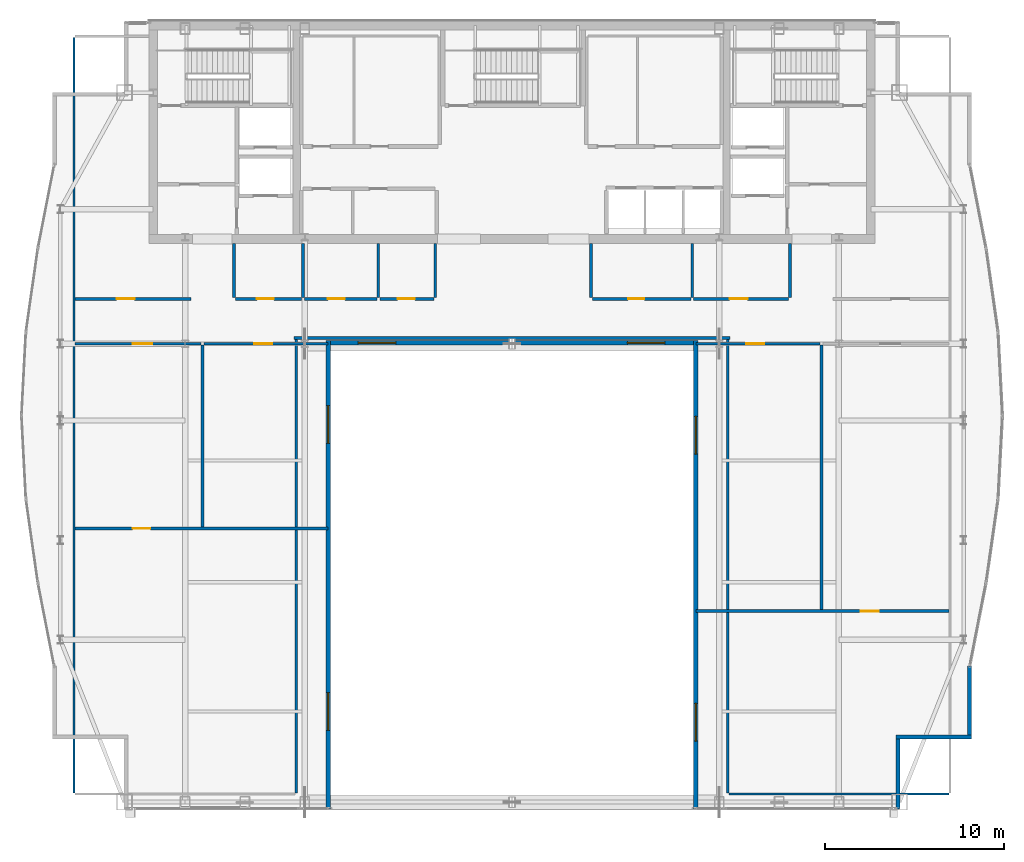
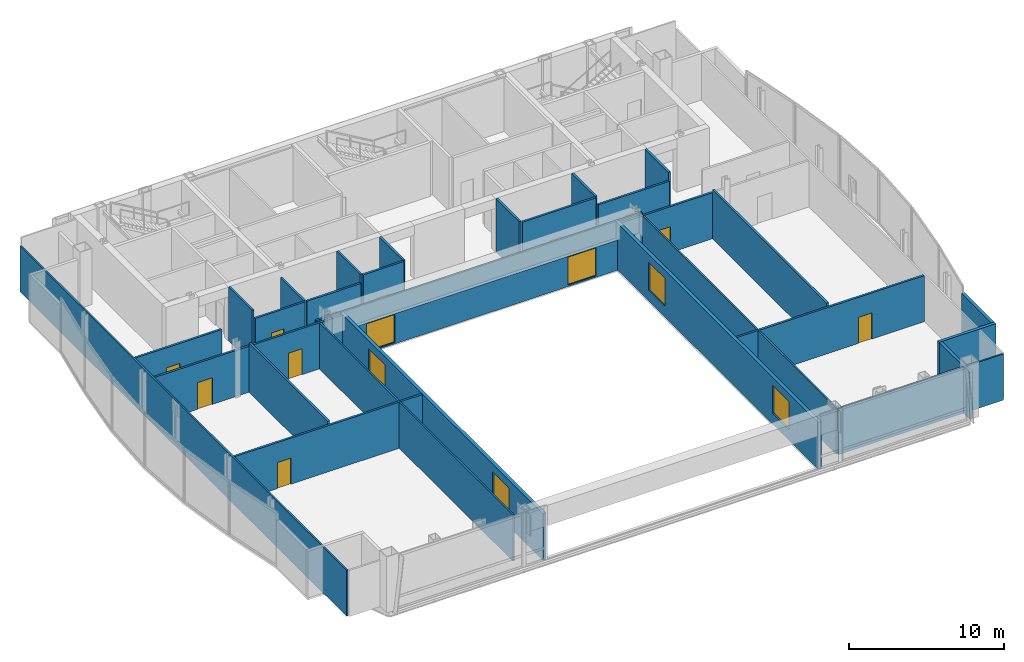
# One storey, part 22 of 27: 31 walls, 11 doors, 6 windows, 17 openings.
"""IFC4 building model written with IfcOpenShell, lengths in metres."""

from ifc_helpers import new_model, si_unit, direction, frame, frame_2d, origin, place, context, subcontext, project, spatial, rectangle, extrude, material, layer, layer_set, type_object, element, fill, save


model = new_model("IFC4")

# Units and contexts
model_context = context("Model", 3, precision=1e-05, world=origin(), true_north=direction((0.0, 1.0)))
body_context = subcontext(model_context, "Body", "Model", "MODEL_VIEW")
ifc_project = project(units=[si_unit("LENGTHUNIT", "METRE"), si_unit("AREAUNIT", "SQUARE_METRE"), si_unit("VOLUMEUNIT", "CUBIC_METRE"), si_unit("PLANEANGLEUNIT", "RADIAN"), si_unit("MASSUNIT", "GRAM", prefix="KILO")], contexts=[model_context])

# Site, building, storey
site_placement = place(None, origin())
site = spatial("IfcSite", under=ifc_project, at=site_placement, CompositionType="ELEMENT")
building_placement = place(site_placement, origin())
building = spatial("IfcBuilding", under=site, at=building_placement, Name="Khoronbel Lancet Exchange", CompositionType="ELEMENT")
storey_placement = place(building_placement, frame((0.0, 0.0, 310.199951171875)))
storey = spatial("IfcBuildingStorey", under=building, at=storey_placement, Name="L80", CompositionType="ELEMENT", Elevation=310.199951171875)

# Walls
ifc_material_1 = material(Name="Precast concrete C40/50", Category="concrete")
ifc_layer_1 = layer(ifc_material_1, 0.25, Name="Precast concrete C40/50")
ifc_layer_set_1 = layer_set([ifc_layer_1], Name="Precast concrete C40/50")
wall_type_1 = type_object("IfcWallType", Name="WL-EXT250", PredefinedType="SOLIDWALL", material=ifc_layer_set_1)
wall_1_placement = place(storey_placement, frame((61.9599609375, 17.728759765625, 0.0), z_axis=(0.0, 0.0, 1.0), x_axis=(0.0, -1.0, 0.0)))
element("IfcWall", 1, at=wall_1_placement, inside=storey, type_object=wall_type_1, Name="Level L80 notched-corner limestone pier 23", PredefinedType="SOLIDWALL", context=body_context, shape_type="SweptSolid", body=[
    extrude(rectangle(XDim=3.828857421875, YDim=0.219970703125, at=frame_2d((1.91455078125, 0.0))), origin(), (0.0, 0.0, 1.0), 3.679931640625),
])
wall_2_placement = place(storey_placement, frame((62.070068359375, 13.7900390625, 0.0), z_axis=(0.0, 0.0, 1.0), x_axis=(-1.0, 0.0, 0.0)))
element("IfcWall", 2, at=wall_2_placement, inside=storey, type_object=wall_type_1, Name="Level L80 notched-corner limestone pier 24", PredefinedType="SOLIDWALL", context=body_context, shape_type="SweptSolid", body=[
    extrude(rectangle(XDim=4.219970703125, YDim=0.219970703125, at=frame_2d((2.10986328125, 0.0))), origin(), (0.0, 0.0, 1.0), 3.679931640625),
])
wall_3_placement = place(storey_placement, frame((57.9599609375, 13.679931640625, 0.0), z_axis=(0.0, 0.0, 1.0), x_axis=(0.0, -1.0, 0.0)))
element("IfcWall", 3, at=wall_3_placement, inside=storey, type_object=wall_type_1, Name="Level L80 notched-corner limestone pier 25", PredefinedType="SOLIDWALL", context=body_context, shape_type="SweptSolid", body=[
    extrude(rectangle(XDim=3.909912109375, YDim=0.219970703125, at=frame_2d((1.955078125, 0.0))), origin(), (0.0, 0.0, 1.0), 3.679931640625),
])

# Wall, openings, windows
wall_4_placement = place(storey_placement, frame((26.199951171875, 35.875, 0.0), z_axis=(0.0, 0.0, 1.0), x_axis=(0.0, -1.0, 0.0)))
wall_4 = element("IfcWall", 4, at=wall_4_placement, inside=storey, type_object=wall_type_1, Name="Level L80 wind-portal west flank wall", PredefinedType="SOLIDWALL", context=body_context, shape_type="SweptSolid", body=[
    extrude(rectangle(XDim=26.10498046875, YDim=0.25, at=frame_2d((13.052490234375, 0.0))), origin(), (0.0, 0.0, 1.0), 3.679931640625),
])
opening_1_placement = place(wall_4_placement, frame((3.625, 0.0, 0.85009765625)))
opening_1 = element("IfcOpeningElement", 5, at=opening_1_placement, cuts=wall_4, Name="Opening W5", PredefinedType="OPENING", context=body_context, shape_type="SweptSolid", body=[
    extrude(rectangle(XDim=2.10009765625, YDim=2.199951171875, at=frame_2d((1.050048828125, 1.10009765625))), frame((0.0, 0.135009765625, 0.0), z_axis=(0.0, -1.0, 0.0), x_axis=(1.0, 0.0, 0.0)), (0.0, 0.0, 1.0), 0.27001953125),
])
opening_2_placement = place(wall_4_placement, frame((19.625, 0.0, 0.85009765625)))
opening_2 = element("IfcOpeningElement", 6, at=opening_2_placement, cuts=wall_4, Name="Opening W5", PredefinedType="OPENING", context=body_context, shape_type="SweptSolid", body=[
    extrude(rectangle(XDim=2.10009765625, YDim=2.199951171875, at=frame_2d((1.050048828125, 1.10009765625))), frame((0.0, 0.135009765625, 0.0), z_axis=(0.0, -1.0, 0.0), x_axis=(1.0, 0.0, 0.0)), (0.0, 0.0, 1.0), 0.27001953125),
])
ifc_material_2 = material(Name="Low-E Solar Control Insulating Glass", Category="glass")
window_type = type_object("IfcWindowType", Name="WIN-W5", PartitioningType="SINGLE_PANEL", PredefinedType="WINDOW", material=ifc_material_2)
window_1_placement = place(opening_1_placement, origin())
window_1 = element("IfcWindow", 7, at=window_1_placement, inside=storey, type_object=window_type, Name="WIN-L80-PORTAL-W1", OverallHeight=2.199951171875, OverallWidth=2.10009765625, PartitioningType="SINGLE_PANEL", PredefinedType="WINDOW", context=body_context, shape_type="SweptSolid", body=[
    extrude(rectangle(XDim=2.10009765625, YDim=2.199951171875, at=frame_2d((1.050048828125, 1.10009765625))), frame((0.0, 0.030029296875, 0.0), z_axis=(0.0, -1.0, 0.0), x_axis=(1.0, 0.0, 0.0)), (0.0, 0.0, 1.0), 0.06005859375),
])
fill(opening_1, window_1)
window_2_placement = place(opening_2_placement, origin())
window_2 = element("IfcWindow", 8, at=window_2_placement, inside=storey, type_object=window_type, Name="WIN-L80-PORTAL-W2", OverallHeight=2.199951171875, OverallWidth=2.10009765625, PartitioningType="SINGLE_PANEL", PredefinedType="WINDOW", context=body_context, shape_type="SweptSolid", body=[
    extrude(rectangle(XDim=2.10009765625, YDim=2.199951171875, at=frame_2d((1.050048828125, 1.10009765625))), frame((0.0, 0.030029296875, 0.0), z_axis=(0.0, -1.0, 0.0), x_axis=(1.0, 0.0, 0.0)), (0.0, 0.0, 1.0), 0.06005859375),
])
fill(opening_2, window_2)

wall_5_placement = place(storey_placement, frame((46.699951171875, 9.77001953125, 0.0), z_axis=(0.0, 0.0, 1.0), x_axis=(0.0, 1.0, 0.0)))
wall_5 = element("IfcWall", 9, at=wall_5_placement, inside=storey, type_object=wall_type_1, Name="Level L80 wind-portal east flank wall", PredefinedType="SOLIDWALL", context=body_context, shape_type="SweptSolid", body=[
    extrude(rectangle(XDim=26.10498046875, YDim=0.25, at=frame_2d((13.052490234375, 0.0))), origin(), (0.0, 0.0, 1.0), 3.679931640625),
])
opening_3_placement = place(wall_5_placement, frame((3.780029296875, 0.0, 0.85009765625)))
opening_3 = element("IfcOpeningElement", 10, at=opening_3_placement, cuts=wall_5, Name="Opening W5", PredefinedType="OPENING", context=body_context, shape_type="SweptSolid", body=[
    extrude(rectangle(XDim=2.10009765625, YDim=2.199951171875, at=frame_2d((1.050048828125, 1.10009765625))), frame((0.0, 0.135009765625, 0.0), z_axis=(0.0, -1.0, 0.0), x_axis=(1.0, 0.0, 0.0)), (0.0, 0.0, 1.0), 0.27001953125),
])
opening_4_placement = place(wall_5_placement, frame((19.780029296875, 0.0, 0.85009765625)))
opening_4 = element("IfcOpeningElement", 11, at=opening_4_placement, cuts=wall_5, Name="Opening W5", PredefinedType="OPENING", context=body_context, shape_type="SweptSolid", body=[
    extrude(rectangle(XDim=2.10009765625, YDim=2.199951171875, at=frame_2d((1.050048828125, 1.10009765625))), frame((0.0, 0.135009765625, 0.0), z_axis=(0.0, -1.0, 0.0), x_axis=(1.0, 0.0, 0.0)), (0.0, 0.0, 1.0), 0.27001953125),
])
window_3_placement = place(opening_3_placement, origin())
window_3 = element("IfcWindow", 12, at=window_3_placement, inside=storey, type_object=window_type, Name="WIN-L80-PORTAL-E1", OverallHeight=2.199951171875, OverallWidth=2.10009765625, PartitioningType="SINGLE_PANEL", PredefinedType="WINDOW", context=body_context, shape_type="SweptSolid", body=[
    extrude(rectangle(XDim=2.10009765625, YDim=2.199951171875, at=frame_2d((1.050048828125, 1.10009765625))), frame((0.0, 0.030029296875, 0.0), z_axis=(0.0, -1.0, 0.0), x_axis=(1.0, 0.0, 0.0)), (0.0, 0.0, 1.0), 0.06005859375),
])
fill(opening_3, window_3)
window_4_placement = place(opening_4_placement, origin())
window_4 = element("IfcWindow", 13, at=window_4_placement, inside=storey, type_object=window_type, Name="WIN-L80-PORTAL-E2", OverallHeight=2.199951171875, OverallWidth=2.10009765625, PartitioningType="SINGLE_PANEL", PredefinedType="WINDOW", context=body_context, shape_type="SweptSolid", body=[
    extrude(rectangle(XDim=2.10009765625, YDim=2.199951171875, at=frame_2d((1.050048828125, 1.10009765625))), frame((0.0, 0.030029296875, 0.0), z_axis=(0.0, -1.0, 0.0), x_axis=(1.0, 0.0, 0.0)), (0.0, 0.0, 1.0), 0.06005859375),
])
fill(opening_4, window_4)

wall_6_placement = place(storey_placement, frame((26.324951171875, 35.75, 0.0), z_axis=(0.0, 0.0, 1.0), x_axis=(1.0, 0.0, 0.0)))
wall_6 = element("IfcWall", 14, at=wall_6_placement, inside=storey, type_object=wall_type_1, Name="Level L80 wind-portal north spine wall", PredefinedType="SOLIDWALL", context=body_context, shape_type="SweptSolid", body=[
    extrude(rectangle(XDim=20.25, YDim=0.25, at=frame_2d((10.125, 0.0))), origin(), (0.0, 0.0, 1.0), 2.380126953125),
])
opening_5_placement = place(wall_6_placement, frame((1.550048828125, 0.0, 0.1201171875)))
opening_5 = element("IfcOpeningElement", 15, at=opening_5_placement, cuts=wall_6, Name="Opening W5", PredefinedType="OPENING", context=body_context, shape_type="SweptSolid", body=[
    extrude(rectangle(XDim=2.10009765625, YDim=2.199951171875, at=frame_2d((1.050048828125, 1.10009765625))), frame((0.0, 0.135009765625, 0.0), z_axis=(0.0, -1.0, 0.0), x_axis=(1.0, 0.0, 0.0)), (0.0, 0.0, 1.0), 0.27001953125),
])
opening_6_placement = place(wall_6_placement, frame((16.550048828125, 0.0, 0.1201171875)))
opening_6 = element("IfcOpeningElement", 16, at=opening_6_placement, cuts=wall_6, Name="Opening W5", PredefinedType="OPENING", context=body_context, shape_type="SweptSolid", body=[
    extrude(rectangle(XDim=2.10009765625, YDim=2.199951171875, at=frame_2d((1.050048828125, 1.10009765625))), frame((0.0, 0.135009765625, 0.0), z_axis=(0.0, -1.0, 0.0), x_axis=(1.0, 0.0, 0.0)), (0.0, 0.0, 1.0), 0.27001953125),
])
window_5_placement = place(opening_5_placement, origin())
window_5 = element("IfcWindow", 17, at=window_5_placement, inside=storey, type_object=window_type, Name="WIN-L80-PORTAL-N1", OverallHeight=2.199951171875, OverallWidth=2.10009765625, PartitioningType="SINGLE_PANEL", PredefinedType="WINDOW", context=body_context, shape_type="SweptSolid", body=[
    extrude(rectangle(XDim=2.10009765625, YDim=2.199951171875, at=frame_2d((1.050048828125, 1.10009765625))), frame((0.0, 0.030029296875, 0.0), z_axis=(0.0, -1.0, 0.0), x_axis=(1.0, 0.0, 0.0)), (0.0, 0.0, 1.0), 0.06005859375),
])
fill(opening_5, window_5)
window_6_placement = place(opening_6_placement, origin())
window_6 = element("IfcWindow", 18, at=window_6_placement, inside=storey, type_object=window_type, Name="WIN-L80-PORTAL-N2", OverallHeight=2.199951171875, OverallWidth=2.10009765625, PartitioningType="SINGLE_PANEL", PredefinedType="WINDOW", context=body_context, shape_type="SweptSolid", body=[
    extrude(rectangle(XDim=2.10009765625, YDim=2.199951171875, at=frame_2d((1.050048828125, 1.10009765625))), frame((0.0, 0.030029296875, 0.0), z_axis=(0.0, -1.0, 0.0), x_axis=(1.0, 0.0, 0.0)), (0.0, 0.0, 1.0), 0.06005859375),
])
fill(opening_6, window_6)

# Wall
ifc_material_3 = material(Name="Acoustic Metal-Stud & Mineral-Wool Gypsum Partition 120 mm", Category="gypsum")
ifc_layer_2 = layer(ifc_material_3, 0.1201171875, Name="Acoustic Metal-Stud & Mineral-Wool Gypsum Partition 120 mm")
ifc_layer_set_2 = layer_set([ifc_layer_2], Name="Acoustic Metal-Stud & Mineral-Wool Gypsum Partition 120 mm")
wall_type_2 = type_object("IfcWallType", Name="WL-PRT120", PredefinedType="PARTITIONING", material=ifc_layer_set_2)
wall_7_placement = place(storey_placement, frame((19.199951171875, 25.47998046875, 0.0), z_axis=(0.0, 0.0, 1.0), x_axis=(0.0, 1.0, 0.0)))
element("IfcWall", 19, at=wall_7_placement, inside=storey, type_object=wall_type_2, Name="Level L80 interior partition PW-WP-WV", PredefinedType="PARTITIONING", context=body_context, shape_type="SweptSolid", body=[
    extrude(rectangle(XDim=10.14013671875, YDim=0.14990234375, at=frame_2d((5.070068359375, 0.0))), origin(), (0.0, 0.0, 1.0), 3.8701171875),
])

# Wall, opening, door
wall_8_placement = place(storey_placement, frame((12.094970703125, 25.39990234375, 0.0), z_axis=(0.0, 0.0, 1.0), x_axis=(1.0, 0.0, 0.0)))
wall_8 = element("IfcWall", 20, at=wall_8_placement, inside=storey, type_object=wall_type_2, Name="Level L80 interior partition PW-WP-WH", PredefinedType="PARTITIONING", context=body_context, shape_type="SweptSolid", body=[
    extrude(rectangle(XDim=14.10498046875, YDim=0.14990234375, at=frame_2d((7.052490234375, 0.0))), origin(), (0.0, 0.0, 1.0), 3.630126953125),
])
opening_7_placement = place(wall_8_placement, frame((3.199951171875, 0.0, 0.0)))
opening_7 = element("IfcOpeningElement", 21, at=opening_7_placement, cuts=wall_8, Name="Opening D8", PredefinedType="OPENING", context=body_context, shape_type="SweptSolid", body=[
    extrude(rectangle(XDim=1.0, YDim=2.050048828125, at=frame_2d((0.5, 1.02490234375))), frame((0.0, 0.0849609375, 0.0), z_axis=(0.0, -1.0, 0.0), x_axis=(1.0, 0.0, 0.0)), (0.0, 0.0, 1.0), 0.169921875),
])
ifc_material_4 = material(Name="Acoustic Bronze-Framed Glass Suite Door", Category="glass")
door_type_1 = type_object("IfcDoorType", Name="DR-D8", OperationType="NOTDEFINED", PredefinedType="DOOR", material=ifc_material_4)
door_1_placement = place(opening_7_placement, origin())
door_1 = element("IfcDoor", 22, at=door_1_placement, inside=storey, type_object=door_type_1, Name="Portal west south salon door L80-1", OperationType="SINGLE_SWING_RIGHT", OverallHeight=2.050048828125, OverallWidth=1.0, PredefinedType="DOOR", context=body_context, shape_type="SweptSolid", body=[
    extrude(rectangle(XDim=1.0, YDim=2.050048828125, at=frame_2d((0.5, 1.02490234375))), frame((0.0, 0.02490234375, 0.0), z_axis=(0.0, -1.0, 0.0), x_axis=(1.0, 0.0, 0.0)), (0.0, 0.0, 1.0), 0.050048828125),
])
fill(opening_7, door_1)

# Wall
wall_9_placement = place(storey_placement, frame((53.699951171875, 20.8798828125, 0.0), z_axis=(0.0, 0.0, 1.0), x_axis=(0.0, 1.0, 0.0)))
element("IfcWall", 23, at=wall_9_placement, inside=storey, type_object=wall_type_2, Name="Level L80 interior partition PW-WP-EV", PredefinedType="PARTITIONING", context=body_context, shape_type="SweptSolid", body=[
    extrude(rectangle(XDim=14.740234375, YDim=0.14990234375, at=frame_2d((7.3701171875, 0.0))), origin(), (0.0, 0.0, 1.0), 3.8701171875),
])

# Wall, opening, door
wall_10_placement = place(storey_placement, frame((46.699951171875, 20.800048828125, 0.0), z_axis=(0.0, 0.0, 1.0), x_axis=(1.0, 0.0, 0.0)))
wall_10 = element("IfcWall", 24, at=wall_10_placement, inside=storey, type_object=wall_type_2, Name="Level L80 interior partition PW-WP-EH", PredefinedType="PARTITIONING", context=body_context, shape_type="SweptSolid", body=[
    extrude(rectangle(XDim=14.10498046875, YDim=0.14990234375, at=frame_2d((7.052490234375, 0.0))), origin(), (0.0, 0.0, 1.0), 3.630126953125),
])
opening_8_placement = place(wall_10_placement, frame((9.199951171875, 0.0, 0.0)))
opening_8 = element("IfcOpeningElement", 25, at=opening_8_placement, cuts=wall_10, Name="Opening D8", PredefinedType="OPENING", context=body_context, shape_type="SweptSolid", body=[
    extrude(rectangle(XDim=1.0, YDim=2.050048828125, at=frame_2d((0.5, 1.02490234375))), frame((0.0, 0.0849609375, 0.0), z_axis=(0.0, -1.0, 0.0), x_axis=(1.0, 0.0, 0.0)), (0.0, 0.0, 1.0), 0.169921875),
])
door_2_placement = place(opening_8_placement, origin())
door_2 = element("IfcDoor", 26, at=door_2_placement, inside=storey, type_object=door_type_1, Name="Portal east south dining door L80-1", OperationType="SINGLE_SWING_LEFT", OverallHeight=2.050048828125, OverallWidth=1.0, PredefinedType="DOOR", context=body_context, shape_type="SweptSolid", body=[
    extrude(rectangle(XDim=1.0, YDim=2.050048828125, at=frame_2d((0.5, 1.02490234375))), frame((0.0, 0.02490234375, 0.0), z_axis=(0.0, -1.0, 0.0), x_axis=(1.0, 0.0, 0.0)), (0.0, 0.0, 1.0), 0.050048828125),
])
fill(opening_8, door_2)

# Walls
wall_11_placement = place(storey_placement, frame((20.949951171875, 38.280029296875, 0.0), z_axis=(0.0, 0.0, 1.0), x_axis=(0.0, 1.0, 0.0)))
element("IfcWall", 27, at=wall_11_placement, inside=storey, type_object=wall_type_2, Name="Level L80 interior partition PW-WP-WC0", PredefinedType="PARTITIONING", context=body_context, shape_type="SweptSolid", body=[
    extrude(rectangle(XDim=3.02001953125, YDim=0.14990234375, at=frame_2d((1.510009765625, 0.0))), origin(), (0.0, 0.0, 1.0), 4.239990234375),
])
wall_12_placement = place(storey_placement, frame((24.800048828125, 38.280029296875, 0.0), z_axis=(0.0, 0.0, 1.0), x_axis=(0.0, 1.0, 0.0)))
element("IfcWall", 28, at=wall_12_placement, inside=storey, type_object=wall_type_2, Name="Level L80 interior partition PW-WP-WC1", PredefinedType="PARTITIONING", context=body_context, shape_type="SweptSolid", body=[
    extrude(rectangle(XDim=3.02001953125, YDim=0.14990234375, at=frame_2d((1.510009765625, 0.0))), origin(), (0.0, 0.0, 1.0), 3.630126953125),
])
for number, where, z_axis, x_axis, name in (
    (29, (29.0, 38.280029296875, 0.0), (0.0, 0.0, 1.0), (0.0, 1.0, 0.0), "Level L80 interior partition PW-WP-WC2"),
    (30, (32.179931640625, 38.280029296875, 0.0), (0.0, 0.0, 1.0), (0.0, 1.0, 0.0), "Level L80 interior partition PW-WP-WC3"),
    (31, (40.85009765625, 38.280029296875, 0.0), (0.0, 0.0, 1.0), (0.0, 1.0, 0.0), "Level L80 interior partition PW-WP-NP0"),
    (32, (46.5, 38.280029296875, 0.0), (0.0, 0.0, 1.0), (0.0, 1.0, 0.0), "Level L80 interior partition PW-WP-NP"),
    (33, (51.949951171875, 38.280029296875, 0.0), (0.0, 0.0, 1.0), (0.0, 1.0, 0.0), "Level L80 interior partition PW-WP-NP1"),
):
    element("IfcWall", number, at=place(storey_placement, frame(where, z_axis=z_axis, x_axis=x_axis)), inside=storey, type_object=wall_type_2, Name=name, PredefinedType="PARTITIONING", context=body_context, shape_type="SweptSolid", body=[
        extrude(rectangle(XDim=3.02001953125, YDim=0.14990234375, at=frame_2d((1.510009765625, 0.0))), origin(), (0.0, 0.0, 1.0), 4.239990234375),
    ])
wall_13_placement = place(storey_placement, frame((12.030029296875, 10.6650390625, 0.0), z_axis=(0.0, 0.0, 1.0), x_axis=(0.0, 1.0, 0.0)))
element("IfcWall", 34, at=wall_13_placement, inside=storey, type_object=wall_type_2, Name="Level L80 interior partition PW-LIN-W", PredefinedType="PARTITIONING", context=body_context, shape_type="SweptSolid", body=[
    extrude(rectangle(XDim=42.10986328125, YDim=0.1201171875, at=frame_2d((21.054931640625, 0.0))), origin(), (0.0, 0.0, 1.0), 3.630126953125),
])
wall_14_placement = place(storey_placement, frame((48.544921875, 10.60009765625, 0.0), z_axis=(0.0, 0.0, 1.0), x_axis=(1.0, 0.0, 0.0)))
element("IfcWall", 35, at=wall_14_placement, inside=storey, type_object=wall_type_2, Name="Level L80 interior partition PW-LIN-SE", PredefinedType="PARTITIONING", context=body_context, shape_type="SweptSolid", body=[
    extrude(rectangle(XDim=12.260009765625, YDim=0.1201171875, at=frame_2d((6.1298828125, 0.0))), origin(), (0.0, 0.0, 1.0), 3.630126953125),
])
for number, where, z_axis, x_axis, name in (
    (36, (24.419921875, 10.6650390625, 0.0), (0.0, 0.0, 1.0), (0.0, 1.0, 0.0), "Level L80 interior partition PW-LIN-PW"),
    (37, (48.47998046875, 10.6650390625, 0.0), (0.0, 0.0, 1.0), (0.0, 1.0, 0.0), "Level L80 interior partition PW-LIN-PE"),
):
    element("IfcWall", number, at=place(storey_placement, frame(where, z_axis=z_axis, x_axis=x_axis)), inside=storey, type_object=wall_type_2, Name=name, PredefinedType="PARTITIONING", context=body_context, shape_type="SweptSolid", body=[
        extrude(rectangle(XDim=25.27490234375, YDim=0.1201171875, at=frame_2d((12.637451171875, 0.0))), origin(), (0.0, 0.0, 1.0), 3.630126953125),
    ])

# Wall, opening, door
ifc_material_5 = material(Name="Fire-Rated Twin-Stud Acoustic Gypsum Partition 150 mm", Category="gypsum")
ifc_layer_3 = layer(ifc_material_5, 0.14990234375, Name="Fire-Rated Twin-Stud Acoustic Gypsum Partition 150 mm")
ifc_layer_set_3 = layer_set([ifc_layer_3], Name="Fire-Rated Twin-Stud Acoustic Gypsum Partition 150 mm")
wall_type_3 = type_object("IfcWallType", Name="WL-PRT150C", PredefinedType="PARTITIONING", material=ifc_layer_set_3)
wall_15_placement = place(storey_placement, frame((12.094970703125, 35.699951171875, 0.0), z_axis=(0.0, 0.0, 1.0), x_axis=(1.0, 0.0, 0.0)))
wall_15 = element("IfcWall", 38, at=wall_15_placement, inside=storey, type_object=wall_type_3, Name="Level L80 interior partition PW-WP-WS1", PredefinedType="PARTITIONING", context=body_context, shape_type="SweptSolid", body=[
    extrude(rectangle(XDim=7.025146484375, YDim=0.14990234375, at=frame_2d((3.5126953125, 0.0))), origin(), (0.0, 0.0, 1.0), 3.630126953125),
])
opening_9_placement = place(wall_15_placement, frame((3.199951171875, 0.0, 0.0)))
opening_9 = element("IfcOpeningElement", 39, at=opening_9_placement, cuts=wall_15, Name="Opening D6", PredefinedType="OPENING", context=body_context, shape_type="SweptSolid", body=[
    extrude(rectangle(XDim=1.10009765625, YDim=2.10009765625, at=frame_2d((0.550048828125, 1.050048828125))), frame((0.0, 0.0849609375, 0.0), z_axis=(0.0, -1.0, 0.0), x_axis=(1.0, 0.0, 0.0)), (0.0, 0.0, 1.0), 0.169921875),
])
ifc_material_6 = material(Name="Acoustic Bronze-Veneer Executive Suite Door", Category="wood")
door_type_2 = type_object("IfcDoorType", Name="DR-D6", OperationType="NOTDEFINED", PredefinedType="DOOR", material=ifc_material_6)
door_3_placement = place(opening_9_placement, origin())
door_3 = element("IfcDoor", 40, at=door_3_placement, inside=storey, type_object=door_type_2, Name="Portal west executive suite door L80-1", OperationType="SINGLE_SWING_RIGHT", OverallHeight=2.10009765625, OverallWidth=1.10009765625, PredefinedType="DOOR", context=body_context, shape_type="SweptSolid", body=[
    extrude(rectangle(XDim=1.10009765625, YDim=2.10009765625, at=frame_2d((0.550048828125, 1.050048828125))), frame((0.0, 0.02490234375, 0.0), z_axis=(0.0, -1.0, 0.0), x_axis=(1.0, 0.0, 0.0)), (0.0, 0.0, 1.0), 0.050048828125),
])
fill(opening_9, door_3)

wall_16_placement = place(storey_placement, frame((19.280029296875, 35.699951171875, 0.0), z_axis=(0.0, 0.0, 1.0), x_axis=(1.0, 0.0, 0.0)))
wall_16 = element("IfcWall", 41, at=wall_16_placement, inside=storey, type_object=wall_type_3, Name="Level L80 interior partition PW-WP-WS2", PredefinedType="PARTITIONING", context=body_context, shape_type="SweptSolid", body=[
    extrude(rectangle(XDim=6.919921875, YDim=0.14990234375, at=frame_2d((3.4599609375, 0.0))), origin(), (0.0, 0.0, 1.0), 3.630126953125),
])
opening_10_placement = place(wall_16_placement, frame((2.800048828125, 0.0, 0.0)))
opening_10 = element("IfcOpeningElement", 42, at=opening_10_placement, cuts=wall_16, Name="Opening D2", PredefinedType="OPENING", context=body_context, shape_type="SweptSolid", body=[
    extrude(rectangle(XDim=1.0, YDim=2.050048828125, at=frame_2d((0.5, 1.02490234375))), frame((0.0, 0.0849609375, 0.0), z_axis=(0.0, -1.0, 0.0), x_axis=(1.0, 0.0, 0.0)), (0.0, 0.0, 1.0), 0.169921875),
])
ifc_material_7 = material(Name="Acoustic Veneered Timber & Bronze Frame Door", Category="wood")
door_type_3 = type_object("IfcDoorType", Name="DR-D2", OperationType="NOTDEFINED", PredefinedType="DOOR", material=ifc_material_7)
door_4_placement = place(opening_10_placement, origin())
door_4 = element("IfcDoor", 43, at=door_4_placement, inside=storey, type_object=door_type_3, Name="Portal west gallery door L80-1", OperationType="SINGLE_SWING_LEFT", OverallHeight=2.050048828125, OverallWidth=1.0, PredefinedType="DOOR", context=body_context, shape_type="SweptSolid", body=[
    extrude(rectangle(XDim=1.0, YDim=2.050048828125, at=frame_2d((0.5, 1.02490234375))), frame((0.0, 0.02490234375, 0.0), z_axis=(0.0, -1.0, 0.0), x_axis=(1.0, 0.0, 0.0)), (0.0, 0.0, 1.0), 0.050048828125),
])
fill(opening_10, door_4)

wall_17_placement = place(storey_placement, frame((46.699951171875, 35.699951171875, 0.0), z_axis=(0.0, 0.0, 1.0), x_axis=(1.0, 0.0, 0.0)))
wall_17 = element("IfcWall", 44, at=wall_17_placement, inside=storey, type_object=wall_type_3, Name="Level L80 interior partition PW-WP-ES1", PredefinedType="PARTITIONING", context=body_context, shape_type="SweptSolid", body=[
    extrude(rectangle(XDim=6.920166015625, YDim=0.14990234375, at=frame_2d((3.4599609375, 0.0))), origin(), (0.0, 0.0, 1.0), 3.630126953125),
])
opening_11_placement = place(wall_17_placement, frame((2.800048828125, 0.0, 0.0)))
opening_11 = element("IfcOpeningElement", 45, at=opening_11_placement, cuts=wall_17, Name="Opening D2", PredefinedType="OPENING", context=body_context, shape_type="SweptSolid", body=[
    extrude(rectangle(XDim=1.0, YDim=2.050048828125, at=frame_2d((0.5, 1.02490234375))), frame((0.0, 0.0849609375, 0.0), z_axis=(0.0, -1.0, 0.0), x_axis=(1.0, 0.0, 0.0)), (0.0, 0.0, 1.0), 0.169921875),
])
door_5_placement = place(opening_11_placement, origin())
door_5 = element("IfcDoor", 46, at=door_5_placement, inside=storey, type_object=door_type_3, Name="Portal east boardroom door L80-1", OperationType="SINGLE_SWING_LEFT", OverallHeight=2.050048828125, OverallWidth=1.0, PredefinedType="DOOR", context=body_context, shape_type="SweptSolid", body=[
    extrude(rectangle(XDim=1.0, YDim=2.050048828125, at=frame_2d((0.5, 1.02490234375))), frame((0.0, 0.02490234375, 0.0), z_axis=(0.0, -1.0, 0.0), x_axis=(1.0, 0.0, 0.0)), (0.0, 0.0, 1.0), 0.050048828125),
])
fill(opening_11, door_5)

wall_18_placement = place(storey_placement, frame((21.030029296875, 38.199951171875, 0.0), z_axis=(0.0, 0.0, 1.0), x_axis=(1.0, 0.0, 0.0)))
wall_18 = element("IfcWall", 47, at=wall_18_placement, inside=storey, type_object=wall_type_3, Name="Level L80 interior partition PW-WP-WCS1", PredefinedType="PARTITIONING", context=body_context, shape_type="SweptSolid", body=[
    extrude(rectangle(XDim=3.68994140625, YDim=0.14990234375, at=frame_2d((1.844970703125, 0.0))), origin(), (0.0, 0.0, 1.0), 3.630126953125),
])
opening_12_placement = place(wall_18_placement, frame((1.199951171875, 0.0, 0.0)))
opening_12 = element("IfcOpeningElement", 48, at=opening_12_placement, cuts=wall_18, Name="Opening D4", PredefinedType="OPENING", context=body_context, shape_type="SweptSolid", body=[
    extrude(rectangle(XDim=0.949951171875, YDim=2.050048828125, at=frame_2d((0.47509765625, 1.02490234375))), frame((0.0, 0.0849609375, 0.0), z_axis=(0.0, -1.0, 0.0), x_axis=(1.0, 0.0, 0.0)), (0.0, 0.0, 1.0), 0.169921875),
])
ifc_material_8 = material(Name="Moisture-Resistant HPL Washroom Door", Category="wood")
door_type_4 = type_object("IfcDoorType", Name="DR-D4", OperationType="NOTDEFINED", PredefinedType="DOOR", material=ifc_material_8)
door_6_placement = place(opening_12_placement, origin())
door_6 = element("IfcDoor", 49, at=door_6_placement, inside=storey, type_object=door_type_4, Name="Male WC door L80-1", OperationType="SINGLE_SWING_RIGHT", OverallHeight=2.050048828125, OverallWidth=0.949951171875, PredefinedType="DOOR", context=body_context, shape_type="SweptSolid", body=[
    extrude(rectangle(XDim=0.949951171875, YDim=2.050048828125, at=frame_2d((0.47509765625, 1.02490234375))), frame((0.0, 0.02490234375, 0.0), z_axis=(0.0, -1.0, 0.0), x_axis=(1.0, 0.0, 0.0)), (0.0, 0.0, 1.0), 0.050048828125),
])
fill(opening_12, door_6)

wall_19_placement = place(storey_placement, frame((24.8798828125, 38.199951171875, 0.0), z_axis=(0.0, 0.0, 1.0), x_axis=(1.0, 0.0, 0.0)))
wall_19 = element("IfcWall", 50, at=wall_19_placement, inside=storey, type_object=wall_type_3, Name="Level L80 interior partition PW-WP-WCS2", PredefinedType="PARTITIONING", context=body_context, shape_type="SweptSolid", body=[
    extrude(rectangle(XDim=4.0400390625, YDim=0.14990234375, at=frame_2d((2.02001953125, 0.0))), origin(), (0.0, 0.0, 1.0), 3.630126953125),
])
opening_13_placement = place(wall_19_placement, frame((1.300048828125, 0.0, 0.0)))
opening_13 = element("IfcOpeningElement", 51, at=opening_13_placement, cuts=wall_19, Name="Opening D4", PredefinedType="OPENING", context=body_context, shape_type="SweptSolid", body=[
    extrude(rectangle(XDim=0.949951171875, YDim=2.050048828125, at=frame_2d((0.47509765625, 1.02490234375))), frame((0.0, 0.0849609375, 0.0), z_axis=(0.0, -1.0, 0.0), x_axis=(1.0, 0.0, 0.0)), (0.0, 0.0, 1.0), 0.169921875),
])
door_7_placement = place(opening_13_placement, origin())
door_7 = element("IfcDoor", 52, at=door_7_placement, inside=storey, type_object=door_type_4, Name="Female WC door L80-1", OperationType="SINGLE_SWING_LEFT", OverallHeight=2.050048828125, OverallWidth=0.949951171875, PredefinedType="DOOR", context=body_context, shape_type="SweptSolid", body=[
    extrude(rectangle(XDim=0.949951171875, YDim=2.050048828125, at=frame_2d((0.47509765625, 1.02490234375))), frame((0.0, 0.02490234375, 0.0), z_axis=(0.0, -1.0, 0.0), x_axis=(1.0, 0.0, 0.0)), (0.0, 0.0, 1.0), 0.050048828125),
])
fill(opening_13, door_7)

wall_20_placement = place(storey_placement, frame((29.080078125, 38.199951171875, 0.0), z_axis=(0.0, 0.0, 1.0), x_axis=(1.0, 0.0, 0.0)))
wall_20 = element("IfcWall", 53, at=wall_20_placement, inside=storey, type_object=wall_type_3, Name="Level L80 interior partition PW-WP-WCS3", PredefinedType="PARTITIONING", context=body_context, shape_type="SweptSolid", body=[
    extrude(rectangle(XDim=3.02001953125, YDim=0.14990234375, at=frame_2d((1.510009765625, 0.0))), origin(), (0.0, 0.0, 1.0), 4.239990234375),
])
opening_14_placement = place(wall_20_placement, frame((1.0, 0.0, 0.0)))
opening_14 = element("IfcOpeningElement", 54, at=opening_14_placement, cuts=wall_20, Name="Opening D4", PredefinedType="OPENING", context=body_context, shape_type="SweptSolid", body=[
    extrude(rectangle(XDim=0.949951171875, YDim=2.050048828125, at=frame_2d((0.47509765625, 1.02490234375))), frame((0.0, 0.0849609375, 0.0), z_axis=(0.0, -1.0, 0.0), x_axis=(1.0, 0.0, 0.0)), (0.0, 0.0, 1.0), 0.169921875),
])
door_8_placement = place(opening_14_placement, origin())
door_8 = element("IfcDoor", 55, at=door_8_placement, inside=storey, type_object=door_type_4, Name="Accessible WC door L80-1", OperationType="SINGLE_SWING_RIGHT", OverallHeight=2.050048828125, OverallWidth=0.949951171875, PredefinedType="DOOR", context=body_context, shape_type="SweptSolid", body=[
    extrude(rectangle(XDim=0.949951171875, YDim=2.050048828125, at=frame_2d((0.47509765625, 1.02490234375))), frame((0.0, 0.02490234375, 0.0), z_axis=(0.0, -1.0, 0.0), x_axis=(1.0, 0.0, 0.0)), (0.0, 0.0, 1.0), 0.050048828125),
])
fill(opening_14, door_8)

wall_21_placement = place(storey_placement, frame((40.929931640625, 38.199951171875, 0.0), z_axis=(0.0, 0.0, 1.0), x_axis=(1.0, 0.0, 0.0)))
wall_21 = element("IfcWall", 56, at=wall_21_placement, inside=storey, type_object=wall_type_3, Name="Level L80 interior partition PW-WP-NPS1", PredefinedType="PARTITIONING", context=body_context, shape_type="SweptSolid", body=[
    extrude(rectangle(XDim=5.489990234375, YDim=0.14990234375, at=frame_2d((2.7451171875, 0.0))), origin(), (0.0, 0.0, 1.0), 4.239990234375),
])
opening_15_placement = place(wall_21_placement, frame((2.0, 0.0, 0.0)))
opening_15 = element("IfcOpeningElement", 57, at=opening_15_placement, cuts=wall_21, Name="Opening D5", PredefinedType="OPENING", context=body_context, shape_type="SweptSolid", body=[
    extrude(rectangle(XDim=0.89990234375, YDim=2.050048828125, at=frame_2d((0.449951171875, 1.02490234375))), frame((0.0, 0.0849609375, 0.0), z_axis=(0.0, -1.0, 0.0), x_axis=(1.0, 0.0, 0.0)), (0.0, 0.0, 1.0), 0.169921875),
])
ifc_material_9 = material(Name="Acoustic Timber Pantry & Support Door", Category="wood")
door_type_5 = type_object("IfcDoorType", Name="DR-D5", OperationType="NOTDEFINED", PredefinedType="DOOR", material=ifc_material_9)
door_9_placement = place(opening_15_placement, origin())
door_9 = element("IfcDoor", 58, at=door_9_placement, inside=storey, type_object=door_type_5, Name="Executive pantry door L80-1", OperationType="SINGLE_SWING_LEFT", OverallHeight=2.050048828125, OverallWidth=0.89990234375, PredefinedType="DOOR", context=body_context, shape_type="SweptSolid", body=[
    extrude(rectangle(XDim=0.89990234375, YDim=2.050048828125, at=frame_2d((0.449951171875, 1.02490234375))), frame((0.0, 0.02490234375, 0.0), z_axis=(0.0, -1.0, 0.0), x_axis=(1.0, 0.0, 0.0)), (0.0, 0.0, 1.0), 0.050048828125),
])
fill(opening_15, door_9)

wall_22_placement = place(storey_placement, frame((46.580078125, 38.199951171875, 0.0), z_axis=(0.0, 0.0, 1.0), x_axis=(1.0, 0.0, 0.0)))
wall_22 = element("IfcWall", 59, at=wall_22_placement, inside=storey, type_object=wall_type_3, Name="Level L80 interior partition PW-WP-NPS2", PredefinedType="PARTITIONING", context=body_context, shape_type="SweptSolid", body=[
    extrude(rectangle(XDim=5.2900390625, YDim=0.14990234375, at=frame_2d((2.64501953125, 0.0))), origin(), (0.0, 0.0, 1.0), 3.630126953125),
])
opening_16_placement = place(wall_22_placement, frame((2.0, 0.0, 0.0)))
opening_16 = element("IfcOpeningElement", 60, at=opening_16_placement, cuts=wall_22, Name="Opening D2", PredefinedType="OPENING", context=body_context, shape_type="SweptSolid", body=[
    extrude(rectangle(XDim=1.0, YDim=2.050048828125, at=frame_2d((0.5, 1.02490234375))), frame((0.0, 0.0849609375, 0.0), z_axis=(0.0, -1.0, 0.0), x_axis=(1.0, 0.0, 0.0)), (0.0, 0.0, 1.0), 0.169921875),
])
door_10_placement = place(opening_16_placement, origin())
door_10 = element("IfcDoor", 61, at=door_10_placement, inside=storey, type_object=door_type_3, Name="Briefing room door L80-1", OperationType="SINGLE_SWING_RIGHT", OverallHeight=2.050048828125, OverallWidth=1.0, PredefinedType="DOOR", context=body_context, shape_type="SweptSolid", body=[
    extrude(rectangle(XDim=1.0, YDim=2.050048828125, at=frame_2d((0.5, 1.02490234375))), frame((0.0, 0.02490234375, 0.0), z_axis=(0.0, -1.0, 0.0), x_axis=(1.0, 0.0, 0.0)), (0.0, 0.0, 1.0), 0.050048828125),
])
fill(opening_16, door_10)

wall_23_placement = place(storey_placement, frame((12.094970703125, 38.199951171875, 0.0), z_axis=(0.0, 0.0, 1.0), x_axis=(1.0, 0.0, 0.0)))
wall_23 = element("IfcWall", 62, at=wall_23_placement, inside=storey, type_object=wall_type_3, Name="Level L80 interior partition PW-WP-NW", PredefinedType="PARTITIONING", context=body_context, shape_type="SweptSolid", body=[
    extrude(rectangle(XDim=6.455078125, YDim=0.14990234375, at=frame_2d((3.2275390625, 0.0))), origin(), (0.0, 0.0, 1.0), 3.630126953125),
])
opening_17_placement = place(wall_23_placement, frame((2.320068359375, 0.0, 0.0)))
opening_17 = element("IfcOpeningElement", 63, at=opening_17_placement, cuts=wall_23, Name="Opening D2", PredefinedType="OPENING", context=body_context, shape_type="SweptSolid", body=[
    extrude(rectangle(XDim=1.0, YDim=2.050048828125, at=frame_2d((0.5, 1.02490234375))), frame((0.0, 0.0849609375, 0.0), z_axis=(0.0, -1.0, 0.0), x_axis=(1.0, 0.0, 0.0)), (0.0, 0.0, 1.0), 0.169921875),
])
door_11_placement = place(opening_17_placement, origin())
door_11 = element("IfcDoor", 64, at=door_11_placement, inside=storey, type_object=door_type_3, Name="NW suite door L80-1", OperationType="SINGLE_SWING_LEFT", OverallHeight=2.050048828125, OverallWidth=1.0, PredefinedType="DOOR", context=body_context, shape_type="SweptSolid", body=[
    extrude(rectangle(XDim=1.0, YDim=2.050048828125, at=frame_2d((0.5, 1.02490234375))), frame((0.0, 0.02490234375, 0.0), z_axis=(0.0, -1.0, 0.0), x_axis=(1.0, 0.0, 0.0)), (0.0, 0.0, 1.0), 0.050048828125),
])
fill(opening_17, door_11)

# Wall
wall_24_placement = place(storey_placement, frame((24.300048828125, 36.02001953125, 0.0), z_axis=(0.0, 0.0, 1.0), x_axis=(1.0, 0.0, 0.0)))
element("IfcWall", 65, at=wall_24_placement, inside=storey, type_object=wall_type_3, Name="Level L80 interior partition PW-WP-CHN", PredefinedType="PARTITIONING", context=body_context, shape_type="SweptSolid", body=[
    extrude(rectangle(XDim=24.300048828125, YDim=0.14990234375, at=frame_2d((12.14990234375, 0.0))), origin(), (0.0, 0.0, 1.0), 3.630126953125),
])

save(model, "model.ifc")
